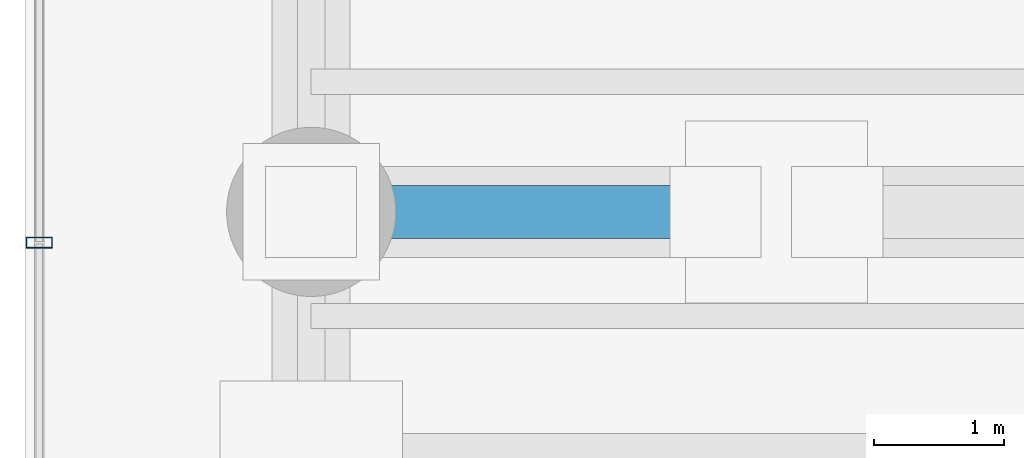
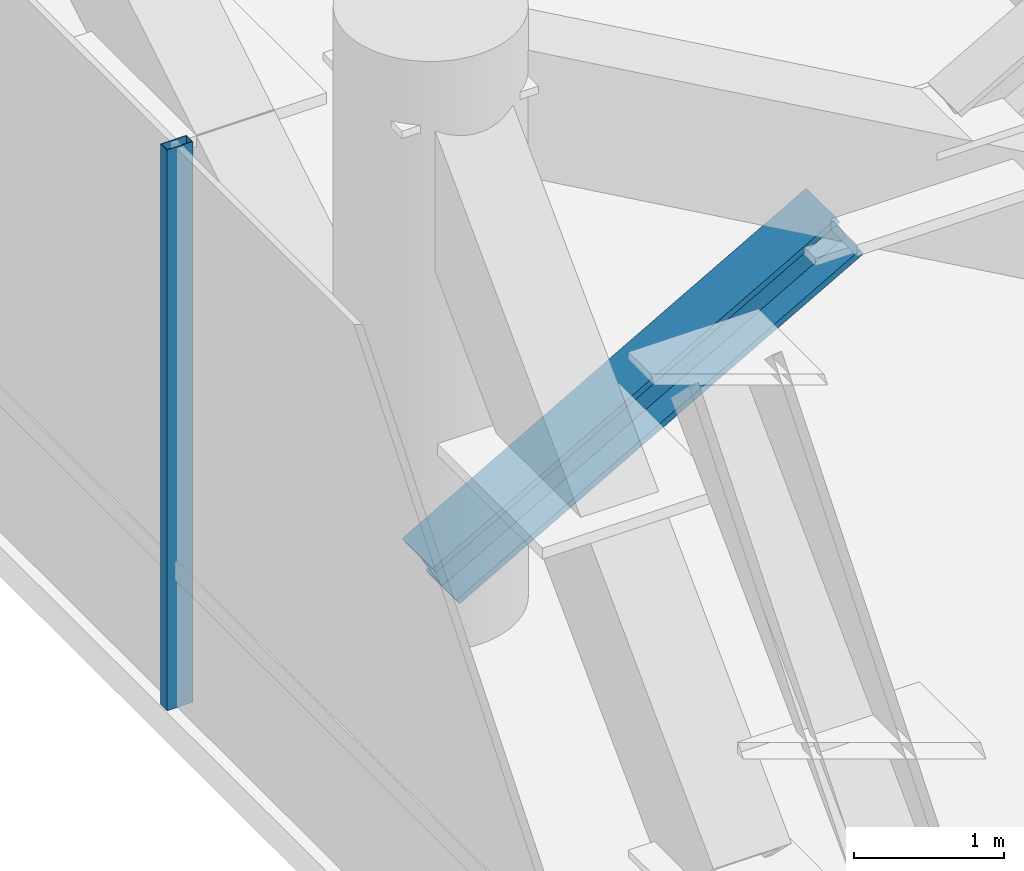
# One storey, part 9 of 39: 2 members, 1 element without a shape of its own.
"""IFC4 building model written with IfcOpenShell, lengths in metres."""

import ifcopenshell
import ifcopenshell.guid

model = None  # the IFC model being written
_history = None  # IfcOwnerHistory: only IFC2X3 demands one
_inside = {}  # id of a spatial element -> (the spatial element, [elements in it])
_under = {}  # id of a project, library or spatial element -> (it, [spatial elements below it])
_declared = {}  # id of a project -> (the project, [libraries it declares])
_typed = {}  # id of a type object -> (the type object, [elements of that type])
_made_of = {}  # id of a material, layer set ... -> (it, [elements and type objects made of it])


def new_model(schema):
    """Start an empty IFC model of exactly this schema.

    Asked for "IFC4X3", IfcOpenShell would pick the latest addendum, in which some entities
    have other attributes; the version numbers below select the first issue.
    IFC2X3 requires an IfcOwnerHistory on every rooted entity: one is made here for all.
    """
    global model, _history
    if schema == "IFC4X3":
        model = ifcopenshell.file(schema_version=(4, 3, 0, 0))
    else:
        model = ifcopenshell.file(schema=schema)
    _inside.clear()
    _under.clear()
    _declared.clear()
    _typed.clear()
    _made_of.clear()
    _history = None
    if model.schema == "IFC2X3":
        org = make("IfcOrganization", Name="unknown")
        user = make(
            "IfcPersonAndOrganization",
            ThePerson=make("IfcPerson", FamilyName="unknown"),
            TheOrganization=org,
        )
        app = make(
            "IfcApplication",
            ApplicationDeveloper=org,
            Version="unknown",
            ApplicationFullName="unknown",
            ApplicationIdentifier="unknown",
        )
        _history = make(
            "IfcOwnerHistory",
            OwningUser=user,
            OwningApplication=app,
            ChangeAction="ADDED",
            CreationDate=0,
        )
    return model


def make(cls, **values):
    """One entity of the class cls with the attributes given. An attribute that is None is left unset."""
    return model.create_entity(
        cls, **{name: value for name, value in values.items() if value is not None}
    )


def rooted(cls, **values):
    """An entity with a GlobalId (a new one), such as an element, a storey or a relation."""
    return make(cls, GlobalId=ifcopenshell.guid.new(), OwnerHistory=_history, **values)


def si_unit(unit_type, name, prefix=None):
    """IfcSIUnit, for example si_unit("LENGTHUNIT", "METRE", prefix="MILLI")."""
    return make("IfcSIUnit", UnitType=unit_type, Prefix=prefix, Name=name)


def assignment(units):
    """IfcUnitAssignment: the units of a project."""
    return None if units is None else make("IfcUnitAssignment", Units=units)


def point(xyz):
    """IfcCartesianPoint."""
    return None if xyz is None else make("IfcCartesianPoint", Coordinates=xyz)


def direction(xyz):
    """IfcDirection."""
    return None if xyz is None else make("IfcDirection", DirectionRatios=xyz)


def frame(location, z_axis=None, x_axis=None):
    """IfcAxis2Placement3D, a coordinate frame: its origin and axes. An axis left out is left unset."""
    return make(
        "IfcAxis2Placement3D",
        Location=point(location),
        Axis=direction(z_axis),
        RefDirection=direction(x_axis),
    )


def frame_2d(location, x_axis=None):
    """IfcAxis2Placement2D, a coordinate frame in the plane: its origin and x axis."""
    return make(
        "IfcAxis2Placement2D", Location=point(location), RefDirection=direction(x_axis)
    )


def origin():
    """The frame at (0, 0, 0) with its axes left unset."""
    return frame((0.0, 0.0, 0.0))


def origin_2d():
    """The frame at (0, 0) in the plane with its x axis left unset."""
    return frame_2d((0.0, 0.0))


def place(relative_to, where):
    """IfcLocalPlacement: puts the frame where relative to a parent placement (None: the world)."""
    return make(
        "IfcLocalPlacement", PlacementRelTo=relative_to, RelativePlacement=where
    )


def context(
    kind, dimensions, precision=None, world=None, true_north=None, identifier=None
):
    """IfcGeometricRepresentationContext, for example the 3D "Model" context."""
    return make(
        "IfcGeometricRepresentationContext",
        ContextIdentifier=identifier,
        ContextType=kind,
        CoordinateSpaceDimension=dimensions,
        Precision=precision,
        WorldCoordinateSystem=world,
        TrueNorth=true_north,
    )


def subcontext(parent, identifier, kind, view, scale=None):
    """IfcGeometricRepresentationSubContext, for example "Body" below "Model"."""
    return make(
        "IfcGeometricRepresentationSubContext",
        ContextIdentifier=identifier,
        ContextType=kind,
        ParentContext=parent,
        TargetScale=scale,
        TargetView=view,
    )


def project(units=None, contexts=None):
    """IfcProject with its units and contexts."""
    return rooted(
        "IfcProject",
        Name="project",
        RepresentationContexts=contexts,
        UnitsInContext=assignment(units),
    )


def spatial(cls, under=None, at=None, **own):
    """A site, building, storey or space (cls), placed at a placement, below another one or the project."""
    s = rooted(cls, ObjectPlacement=at, **own)
    if under is not None:
        _under.setdefault(under.id(), (under, []))[1].append(s)
    return s


def profile(cls, at=None, kind="AREA", **sizes):
    """A parametric profile (cls). Its sizes go by their IFC names, for example OverallWidth=200.0."""
    return make(cls, ProfileType=kind, Position=at, **sizes)


def hollow_rectangle(**sizes):
    """IfcRectangleHollowProfileDef."""
    return profile("IfcRectangleHollowProfileDef", **sizes)


def i_section(**sizes):
    """IfcIShapeProfileDef."""
    return profile("IfcIShapeProfileDef", **sizes)


def extrude(swept, where, along, depth):
    """IfcExtrudedAreaSolid: the profile swept, set in the frame where, extruded along a direction by depth."""
    return make(
        "IfcExtrudedAreaSolid",
        SweptArea=swept,
        Position=where,
        ExtrudedDirection=direction(along),
        Depth=depth,
    )


def shape(context_of_items, identifier, shape_type, items):
    """IfcShapeRepresentation: the items that make up one representation, for example the "Body"."""
    return make(
        "IfcShapeRepresentation",
        ContextOfItems=context_of_items,
        RepresentationIdentifier=identifier,
        RepresentationType=shape_type,
        Items=items,
    )


def source(mapping_origin, context_of_items, identifier, shape_type, items):
    """IfcRepresentationMap: a shape defined once, which mapped items show again and again."""
    return make(
        "IfcRepresentationMap",
        MappingOrigin=mapping_origin,
        MappedRepresentation=shape(context_of_items, identifier, shape_type, items),
    )


def transform(
    local_origin,
    x_axis=None,
    y_axis=None,
    z_axis=None,
    scale=None,
    scale2=None,
    scale3=None,
    uniform=True,
):
    """IfcCartesianTransformationOperator3D, or its non-uniform kind. x_axis, y_axis, z_axis: its Axis1, 2, 3."""
    if uniform:
        return make(
            "IfcCartesianTransformationOperator3D",
            Axis1=direction(x_axis),
            Axis2=direction(y_axis),
            LocalOrigin=point(local_origin),
            Scale=scale,
            Axis3=direction(z_axis),
        )
    return make(
        "IfcCartesianTransformationOperator3DnonUniform",
        Axis1=direction(x_axis),
        Axis2=direction(y_axis),
        LocalOrigin=point(local_origin),
        Scale=scale,
        Axis3=direction(z_axis),
        Scale2=scale2,
        Scale3=scale3,
    )


def mapped(mapping_source, mapping_target):
    """IfcMappedItem: shows the shape of a source again, moved by a transform."""
    return make(
        "IfcMappedItem", MappingSource=mapping_source, MappingTarget=mapping_target
    )


def material(Name=None, Category=None):
    """IfcMaterial."""
    return make("IfcMaterial", Name=Name, Category=Category)


def material_profile(
    of_material, cross_section, Name=None, Category=None, Priority=None
):
    """IfcMaterialProfile: a cross section and its material."""
    return make(
        "IfcMaterialProfile",
        Name=Name,
        Material=of_material,
        Profile=cross_section,
        Priority=Priority,
        Category=Category,
    )


def profile_set(profiles, Name=None, composite=None):
    """IfcMaterialProfileSet."""
    return make(
        "IfcMaterialProfileSet",
        Name=Name,
        MaterialProfiles=profiles,
        CompositeProfile=composite,
    )


def made_of(thing, what):
    """Note that an element or type object is made of a material, layer set ...; save() writes the relation."""
    if what is not None:
        _made_of.setdefault(what.id(), (what, []))[1].append(thing)
    return thing


def type_object(cls, material=None, **own):
    """A type object (cls), such as IfcWallType, which elements share."""
    return made_of(rooted(cls, **own), material)


def element(
    cls,
    number,
    at=None,
    inside=None,
    cuts=None,
    type_object=None,
    material=None,
    context=None,
    identifier="Body",
    shape_type=None,
    held_by="IfcProductDefinitionShape",
    body=None,
    shapes=None,
    **own,
):
    """One element of the class cls, such as IfcWall. Its Tag is "e" and its number.

    at: its placement. inside: the storey or other place that contains it. cuts: it is an
    opening in that element (IfcRelVoidsElement). A single representation is given by context,
    identifier, shape_type and body (its items); several are given by shapes. held_by: the class
    of the entity that holds the representations. save() writes the other relations.
    """
    e = rooted(cls, Tag="e%d" % number, ObjectPlacement=at, **own)
    if body is not None:
        shapes = [shape(context, identifier, shape_type, body)]
    if shapes is not None:
        e.Representation = make(held_by, Representations=shapes)
    if inside is not None:
        _inside.setdefault(inside.id(), (inside, []))[1].append(e)
    if cuts is not None:
        rooted(
            "IfcRelVoidsElement", RelatingBuildingElement=cuts, RelatedOpeningElement=e
        )
    if type_object is not None:
        _typed.setdefault(type_object.id(), (type_object, []))[1].append(e)
    return made_of(e, material)


def aggregate(whole, parts):
    """IfcRelAggregates: a whole, such as a stair, and the parts it consists of."""
    return rooted("IfcRelAggregates", RelatingObject=whole, RelatedObjects=parts)


def save(model, path):
    """Write the relations noted so far, then the file.

    IfcRelAggregates (storeys below a building ...), IfcRelContainedInSpatialStructure (elements
    in a storey), IfcRelDefinesByType, IfcRelAssociatesMaterial and IfcRelDeclares: one each for
    every whole, place, type object, material and project.
    """
    for whole, parts in _under.values():
        aggregate(whole, parts)
    for where, things in _inside.values():
        rooted(
            "IfcRelContainedInSpatialStructure",
            RelatedElements=things,
            RelatingStructure=where,
        )
    for kind, things in _typed.values():
        rooted("IfcRelDefinesByType", RelatedObjects=things, RelatingType=kind)
    for what, things in _made_of.values():
        rooted("IfcRelAssociatesMaterial", RelatedObjects=things, RelatingMaterial=what)
    for by, libraries in _declared.values():
        rooted("IfcRelDeclares", RelatingContext=by, RelatedDefinitions=libraries)
    model.write(path)


model = new_model("IFC4")

# Units and contexts
model_context = context("Model", 3, precision=1e-05, world=origin(), true_north=direction((0.0, 1.0)))
body_context = subcontext(model_context, "Body", "Model", "MODEL_VIEW")
ifc_project = project(units=[si_unit("LENGTHUNIT", "METRE"), si_unit("AREAUNIT", "SQUARE_METRE"), si_unit("VOLUMEUNIT", "CUBIC_METRE"), si_unit("PLANEANGLEUNIT", "RADIAN"), si_unit("MASSUNIT", "GRAM", prefix="KILO")], contexts=[model_context])

# Site, building, storey
site_placement = place(None, origin())
site = spatial("IfcSite", under=ifc_project, at=site_placement, CompositionType="ELEMENT")
building_placement = place(site_placement, origin())
building = spatial("IfcBuilding", under=site, at=building_placement, Name="Valdorenza Pilgrim Sanctuary Tower", CompositionType="ELEMENT")
storey_placement = place(building_placement, frame((0.0, 0.0, 96.300048828125)))
storey = spatial("IfcBuildingStorey", under=building, at=storey_placement, Name="L24", CompositionType="ELEMENT", Elevation=96.300048828125)

# Member
ifc_material_1 = material(Name="Steel ASTM A992 Grade 50", Category="steel")
ifc_material_profile_1 = material_profile(ifc_material_1, i_section(OverallWidth=0.406005859375, OverallDepth=0.416015625, WebThickness=0.02978515625, FlangeThickness=0.048095703125, at=origin_2d()), Name="W14X257")
ifc_profile_set_1 = profile_set([ifc_material_profile_1], Name="Steel ASTM A992 Grade 50")
member_type_1 = type_object("IfcMemberType", Name="STR-MB-OUT-W257", PredefinedType="BRACE", material=ifc_profile_set_1)
shared_shape_1 = source(origin(), body_context, "Body", "SweptSolid", [
    extrude(i_section(OverallWidth=0.406005859375, OverallDepth=0.416015625, WebThickness=0.02978515625, FlangeThickness=0.048095703125, at=origin_2d()), origin(), (0.0, 0.0, 1.0), 3.572021484375),
])
member_1_placement = place(storey_placement, frame((-26.69189453125, -2.60009765625, 1.96044921875), z_axis=(-0.87011695789, 0.0, -0.492845289714), x_axis=(0.0, -1.0, 0.0)))
element("IfcMember", 1, at=member_1_placement, inside=storey, type_object=member_type_1, Name="L24 Outrigger Truss Counter-Diagonal WA2B Upper Segment", PredefinedType="BRACE", context=body_context, shape_type="MappedRepresentation", body=[
    mapped(shared_shape_1, transform((0.0, 0.0, 0.0), x_axis=(1.0, 0.0, 0.0), y_axis=(0.0, 1.0, 0.0), z_axis=(0.0, 0.0, 1.0), scale=1.0)),
])

# Curtain wall, member
ifc_material_2 = material(Name="Curtain-wall IGU glazing", Category="glass")
curtain_wall_type = type_object("IfcCurtainWallType", Name="CW-SYS-02", PredefinedType="NOTDEFINED", material=ifc_material_2)
curtain_wall_placement = place(storey_placement, origin())
curtain_wall = element("IfcCurtainWall", 2, at=curtain_wall_placement, inside=storey, type_object=curtain_wall_type, Name="L24 Curtain Wall CW-L24-1-1", PredefinedType="NOTDEFINED")
ifc_material_3 = material(Name="Anodised aluminium AW-6060", Category="aluminium")
ifc_material_profile_2 = material_profile(ifc_material_3, hollow_rectangle(XDim=0.0849609375, YDim=0.199951171875, WallThickness=0.0048828125, at=origin_2d()), Name="ALU-M 200x85x5")
ifc_profile_set_2 = profile_set([ifc_material_profile_2], Name="Anodised aluminium AW-6060")
member_type_2 = type_object("IfcMemberType", Name="CW-MUL-02", PredefinedType="MULLION", material=ifc_profile_set_2)
shared_shape_2 = source(origin(), body_context, "Body", "SweptSolid", [
    extrude(hollow_rectangle(XDim=0.0849609375, YDim=0.199951171875, WallThickness=0.0048828125, at=origin_2d()), origin(), (0.0, 0.0, 1.0), 4.56005859375),
])
member_2_placement = place(storey_placement, frame((-31.889892578125, -2.8359375, 0.0), z_axis=(0.0, 0.0, 1.0), x_axis=(0.0, 1.0, 0.0)))
member_2 = element("IfcMember", 3, at=member_2_placement, type_object=member_type_2, Name="CW-L24-1-1 Mullion 3", PredefinedType="MULLION", context=body_context, shape_type="MappedRepresentation", body=[
    mapped(shared_shape_2, transform((0.0, 0.0, 0.0), x_axis=(1.0, 0.0, 0.0), y_axis=(0.0, 1.0, 0.0), z_axis=(0.0, 0.0, 1.0), scale=1.0)),
])
aggregate(curtain_wall, [member_2])

save(model, "model.ifc")
